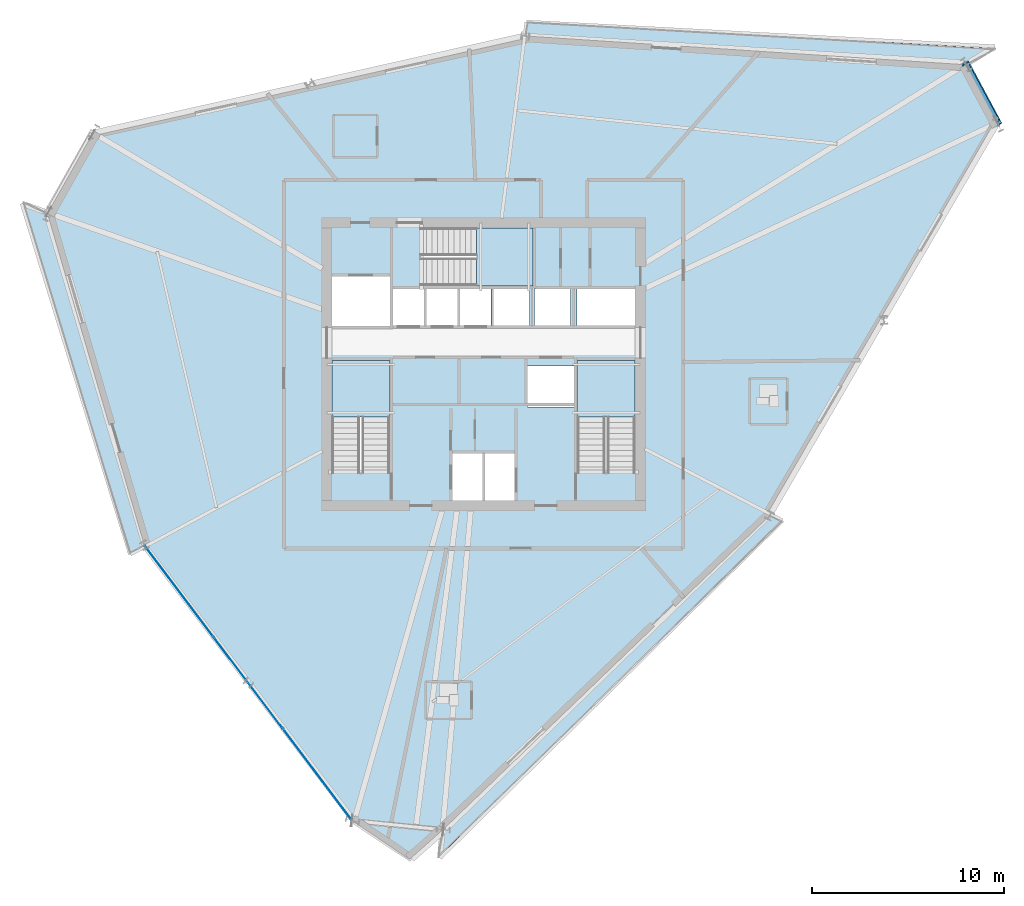
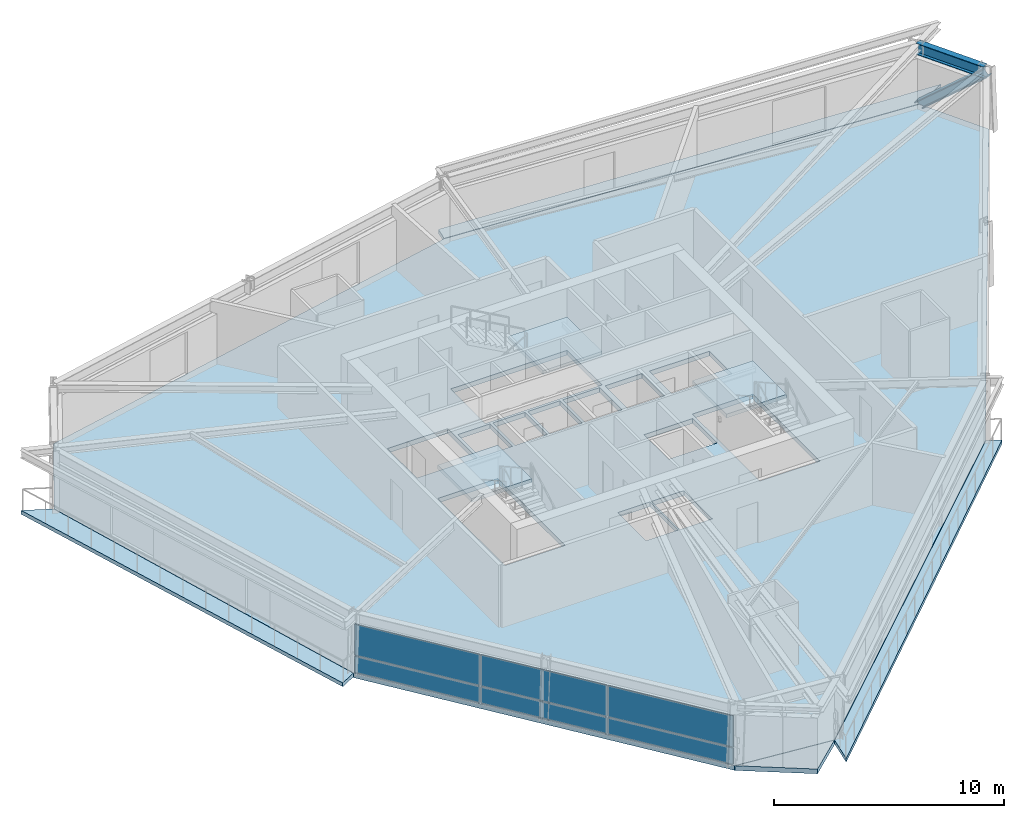
# One storey, part 5 of 15: 8 slabs, 6 plates, 1 beam, 1 member, 4 elements without a shape of their own.
"""IFC4 building model written with IfcOpenShell, lengths in metres."""

import ifcopenshell
import ifcopenshell.guid

model = None  # the IFC model being written
_history = None  # IfcOwnerHistory: only IFC2X3 demands one
_inside = {}  # id of a spatial element -> (the spatial element, [elements in it])
_under = {}  # id of a project, library or spatial element -> (it, [spatial elements below it])
_declared = {}  # id of a project -> (the project, [libraries it declares])
_typed = {}  # id of a type object -> (the type object, [elements of that type])
_made_of = {}  # id of a material, layer set ... -> (it, [elements and type objects made of it])


def new_model(schema):
    """Start an empty IFC model of exactly this schema.

    Asked for "IFC4X3", IfcOpenShell would pick the latest addendum, in which some entities
    have other attributes; the version numbers below select the first issue.
    IFC2X3 requires an IfcOwnerHistory on every rooted entity: one is made here for all.
    """
    global model, _history
    if schema == "IFC4X3":
        model = ifcopenshell.file(schema_version=(4, 3, 0, 0))
    else:
        model = ifcopenshell.file(schema=schema)
    _inside.clear()
    _under.clear()
    _declared.clear()
    _typed.clear()
    _made_of.clear()
    _history = None
    if model.schema == "IFC2X3":
        org = make("IfcOrganization", Name="unknown")
        user = make(
            "IfcPersonAndOrganization",
            ThePerson=make("IfcPerson", FamilyName="unknown"),
            TheOrganization=org,
        )
        app = make(
            "IfcApplication",
            ApplicationDeveloper=org,
            Version="unknown",
            ApplicationFullName="unknown",
            ApplicationIdentifier="unknown",
        )
        _history = make(
            "IfcOwnerHistory",
            OwningUser=user,
            OwningApplication=app,
            ChangeAction="ADDED",
            CreationDate=0,
        )
    return model


def make(cls, **values):
    """One entity of the class cls with the attributes given. An attribute that is None is left unset."""
    return model.create_entity(
        cls, **{name: value for name, value in values.items() if value is not None}
    )


def rooted(cls, **values):
    """An entity with a GlobalId (a new one), such as an element, a storey or a relation."""
    return make(cls, GlobalId=ifcopenshell.guid.new(), OwnerHistory=_history, **values)


def si_unit(unit_type, name, prefix=None):
    """IfcSIUnit, for example si_unit("LENGTHUNIT", "METRE", prefix="MILLI")."""
    return make("IfcSIUnit", UnitType=unit_type, Prefix=prefix, Name=name)


def assignment(units):
    """IfcUnitAssignment: the units of a project."""
    return None if units is None else make("IfcUnitAssignment", Units=units)


def point(xyz):
    """IfcCartesianPoint."""
    return None if xyz is None else make("IfcCartesianPoint", Coordinates=xyz)


def direction(xyz):
    """IfcDirection."""
    return None if xyz is None else make("IfcDirection", DirectionRatios=xyz)


def frame(location, z_axis=None, x_axis=None):
    """IfcAxis2Placement3D, a coordinate frame: its origin and axes. An axis left out is left unset."""
    return make(
        "IfcAxis2Placement3D",
        Location=point(location),
        Axis=direction(z_axis),
        RefDirection=direction(x_axis),
    )


def frame_2d(location, x_axis=None):
    """IfcAxis2Placement2D, a coordinate frame in the plane: its origin and x axis."""
    return make(
        "IfcAxis2Placement2D", Location=point(location), RefDirection=direction(x_axis)
    )


def origin():
    """The frame at (0, 0, 0) with its axes left unset."""
    return frame((0.0, 0.0, 0.0))


def origin_2d():
    """The frame at (0, 0) in the plane with its x axis left unset."""
    return frame_2d((0.0, 0.0))


def place(relative_to, where):
    """IfcLocalPlacement: puts the frame where relative to a parent placement (None: the world)."""
    return make(
        "IfcLocalPlacement", PlacementRelTo=relative_to, RelativePlacement=where
    )


def context(
    kind, dimensions, precision=None, world=None, true_north=None, identifier=None
):
    """IfcGeometricRepresentationContext, for example the 3D "Model" context."""
    return make(
        "IfcGeometricRepresentationContext",
        ContextIdentifier=identifier,
        ContextType=kind,
        CoordinateSpaceDimension=dimensions,
        Precision=precision,
        WorldCoordinateSystem=world,
        TrueNorth=true_north,
    )


def subcontext(parent, identifier, kind, view, scale=None):
    """IfcGeometricRepresentationSubContext, for example "Body" below "Model"."""
    return make(
        "IfcGeometricRepresentationSubContext",
        ContextIdentifier=identifier,
        ContextType=kind,
        ParentContext=parent,
        TargetScale=scale,
        TargetView=view,
    )


def project(units=None, contexts=None):
    """IfcProject with its units and contexts."""
    return rooted(
        "IfcProject",
        Name="project",
        RepresentationContexts=contexts,
        UnitsInContext=assignment(units),
    )


def spatial(cls, under=None, at=None, **own):
    """A site, building, storey or space (cls), placed at a placement, below another one or the project."""
    s = rooted(cls, ObjectPlacement=at, **own)
    if under is not None:
        _under.setdefault(under.id(), (under, []))[1].append(s)
    return s


def polyline(points):
    """IfcPolyline through the points."""
    return make("IfcPolyline", Points=[point(p) for p in points])


def profile(cls, at=None, kind="AREA", **sizes):
    """A parametric profile (cls). Its sizes go by their IFC names, for example OverallWidth=200.0."""
    return make(cls, ProfileType=kind, Position=at, **sizes)


def rectangle(**sizes):
    """IfcRectangleProfileDef."""
    return profile("IfcRectangleProfileDef", **sizes)


def i_section(**sizes):
    """IfcIShapeProfileDef."""
    return profile("IfcIShapeProfileDef", **sizes)


def outline(outer, holes=None, kind="AREA"):
    """IfcArbitraryClosedProfileDef: a profile drawn as a closed curve; with holes, ...WithVoids."""
    if holes is None:
        return make("IfcArbitraryClosedProfileDef", ProfileType=kind, OuterCurve=outer)
    return make(
        "IfcArbitraryProfileDefWithVoids",
        ProfileType=kind,
        OuterCurve=outer,
        InnerCurves=holes,
    )


def extrude(swept, where, along, depth):
    """IfcExtrudedAreaSolid: the profile swept, set in the frame where, extruded along a direction by depth."""
    return make(
        "IfcExtrudedAreaSolid",
        SweptArea=swept,
        Position=where,
        ExtrudedDirection=direction(along),
        Depth=depth,
    )


def shape(context_of_items, identifier, shape_type, items):
    """IfcShapeRepresentation: the items that make up one representation, for example the "Body"."""
    return make(
        "IfcShapeRepresentation",
        ContextOfItems=context_of_items,
        RepresentationIdentifier=identifier,
        RepresentationType=shape_type,
        Items=items,
    )


def source(mapping_origin, context_of_items, identifier, shape_type, items):
    """IfcRepresentationMap: a shape defined once, which mapped items show again and again."""
    return make(
        "IfcRepresentationMap",
        MappingOrigin=mapping_origin,
        MappedRepresentation=shape(context_of_items, identifier, shape_type, items),
    )


def transform(
    local_origin,
    x_axis=None,
    y_axis=None,
    z_axis=None,
    scale=None,
    scale2=None,
    scale3=None,
    uniform=True,
):
    """IfcCartesianTransformationOperator3D, or its non-uniform kind. x_axis, y_axis, z_axis: its Axis1, 2, 3."""
    if uniform:
        return make(
            "IfcCartesianTransformationOperator3D",
            Axis1=direction(x_axis),
            Axis2=direction(y_axis),
            LocalOrigin=point(local_origin),
            Scale=scale,
            Axis3=direction(z_axis),
        )
    return make(
        "IfcCartesianTransformationOperator3DnonUniform",
        Axis1=direction(x_axis),
        Axis2=direction(y_axis),
        LocalOrigin=point(local_origin),
        Scale=scale,
        Axis3=direction(z_axis),
        Scale2=scale2,
        Scale3=scale3,
    )


def mapped(mapping_source, mapping_target):
    """IfcMappedItem: shows the shape of a source again, moved by a transform."""
    return make(
        "IfcMappedItem", MappingSource=mapping_source, MappingTarget=mapping_target
    )


def material(Name=None, Category=None):
    """IfcMaterial."""
    return make("IfcMaterial", Name=Name, Category=Category)


def layer(
    of_material, thickness, ventilated=None, Name=None, Category=None, Priority=None
):
    """IfcMaterialLayer: one layer of a wall or slab, of a material (None: an air gap)."""
    return make(
        "IfcMaterialLayer",
        Material=of_material,
        LayerThickness=thickness,
        IsVentilated=ventilated,
        Name=Name,
        Category=Category,
        Priority=Priority,
    )


def layer_set(layers, Name=None):
    """IfcMaterialLayerSet."""
    return make("IfcMaterialLayerSet", MaterialLayers=layers, LayerSetName=Name)


def material_profile(
    of_material, cross_section, Name=None, Category=None, Priority=None
):
    """IfcMaterialProfile: a cross section and its material."""
    return make(
        "IfcMaterialProfile",
        Name=Name,
        Material=of_material,
        Profile=cross_section,
        Priority=Priority,
        Category=Category,
    )


def profile_set(profiles, Name=None, composite=None):
    """IfcMaterialProfileSet."""
    return make(
        "IfcMaterialProfileSet",
        Name=Name,
        MaterialProfiles=profiles,
        CompositeProfile=composite,
    )


def made_of(thing, what):
    """Note that an element or type object is made of a material, layer set ...; save() writes the relation."""
    if what is not None:
        _made_of.setdefault(what.id(), (what, []))[1].append(thing)
    return thing


def type_object(cls, material=None, **own):
    """A type object (cls), such as IfcWallType, which elements share."""
    return made_of(rooted(cls, **own), material)


def element(
    cls,
    number,
    at=None,
    inside=None,
    cuts=None,
    type_object=None,
    material=None,
    context=None,
    identifier="Body",
    shape_type=None,
    held_by="IfcProductDefinitionShape",
    body=None,
    shapes=None,
    **own,
):
    """One element of the class cls, such as IfcWall. Its Tag is "e" and its number.

    at: its placement. inside: the storey or other place that contains it. cuts: it is an
    opening in that element (IfcRelVoidsElement). A single representation is given by context,
    identifier, shape_type and body (its items); several are given by shapes. held_by: the class
    of the entity that holds the representations. save() writes the other relations.
    """
    e = rooted(cls, Tag="e%d" % number, ObjectPlacement=at, **own)
    if body is not None:
        shapes = [shape(context, identifier, shape_type, body)]
    if shapes is not None:
        e.Representation = make(held_by, Representations=shapes)
    if inside is not None:
        _inside.setdefault(inside.id(), (inside, []))[1].append(e)
    if cuts is not None:
        rooted(
            "IfcRelVoidsElement", RelatingBuildingElement=cuts, RelatedOpeningElement=e
        )
    if type_object is not None:
        _typed.setdefault(type_object.id(), (type_object, []))[1].append(e)
    return made_of(e, material)


def aggregate(whole, parts):
    """IfcRelAggregates: a whole, such as a stair, and the parts it consists of."""
    return rooted("IfcRelAggregates", RelatingObject=whole, RelatedObjects=parts)


def save(model, path):
    """Write the relations noted so far, then the file.

    IfcRelAggregates (storeys below a building ...), IfcRelContainedInSpatialStructure (elements
    in a storey), IfcRelDefinesByType, IfcRelAssociatesMaterial and IfcRelDeclares: one each for
    every whole, place, type object, material and project.
    """
    for whole, parts in _under.values():
        aggregate(whole, parts)
    for where, things in _inside.values():
        rooted(
            "IfcRelContainedInSpatialStructure",
            RelatedElements=things,
            RelatingStructure=where,
        )
    for kind, things in _typed.values():
        rooted("IfcRelDefinesByType", RelatedObjects=things, RelatingType=kind)
    for what, things in _made_of.values():
        rooted("IfcRelAssociatesMaterial", RelatedObjects=things, RelatingMaterial=what)
    for by, libraries in _declared.values():
        rooted("IfcRelDeclares", RelatingContext=by, RelatedDefinitions=libraries)
    model.write(path)


model = new_model("IFC4")

# Units and contexts
model_context = context("Model", 3, precision=1e-05, world=origin(), true_north=direction((0.0, 1.0)))
body_context = subcontext(model_context, "Body", "Model", "MODEL_VIEW")
ifc_project = project(units=[si_unit("LENGTHUNIT", "METRE"), si_unit("AREAUNIT", "SQUARE_METRE"), si_unit("VOLUMEUNIT", "CUBIC_METRE"), si_unit("PLANEANGLEUNIT", "RADIAN"), si_unit("MASSUNIT", "GRAM", prefix="KILO")], contexts=[model_context])

# Site, building, storey
site_placement = place(None, origin())
site = spatial("IfcSite", under=ifc_project, at=site_placement, CompositionType="ELEMENT")
building_placement = place(site_placement, origin())
building = spatial("IfcBuilding", under=site, at=building_placement, Name="Olszyna Solenne Hotel", CompositionType="ELEMENT")
storey_placement = place(building_placement, frame((0.0, 0.0, 150.14990234375)))
storey = spatial("IfcBuildingStorey", under=building, at=storey_placement, Name="L39", CompositionType="ELEMENT", Elevation=150.14990234375)

# Beam
ifc_material_1 = material(Name="Steel S355J2", Category="steel")
ifc_material_profile_1 = material_profile(ifc_material_1, i_section(OverallWidth=0.300048828125, OverallDepth=0.60009765625, WebThickness=0.015380859375, FlangeThickness=0.030029296875, at=origin_2d()), Name="HEB 600", Category="load-bearing")
ifc_profile_set_1 = profile_set([ifc_material_profile_1], Name="Steel S355J2")
beam_type = type_object("IfcBeamType", Name="BM-S2", PredefinedType="BEAM", material=ifc_profile_set_1)
shared_shape_1 = source(origin(), body_context, "Body", "SweptSolid", [
    extrude(i_section(OverallWidth=0.300048828125, OverallDepth=0.60009765625, WebThickness=0.015380859375, FlangeThickness=0.030029296875, at=origin_2d()), origin(), (0.0, 0.0, 1.0), 3.439208984375),
])
beam_placement = place(storey_placement, frame((64.740234375, 39.2255859375, 3.0), z_axis=(-0.474125222019, 0.880457423073, 0.0), x_axis=(-0.880457423073, -0.474125222019, 0.0)))
element("IfcBeam", 1, at=beam_placement, inside=storey, type_object=beam_type, Name="Perimeter spandrel beam BM-S2 B-L39-1156", PredefinedType="BEAM", context=body_context, shape_type="MappedRepresentation", body=[
    mapped(shared_shape_1, transform((0.0, 0.0, 0.0), x_axis=(1.0, 0.0, 0.0), y_axis=(0.0, 1.0, 0.0), z_axis=(0.0, 0.0, 1.0), scale=1.0)),
])

# Member
ifc_material_2 = material(Name="Steel S460M", Category="steel")
ifc_material_profile_2 = material_profile(ifc_material_2, i_section(OverallWidth=0.406005859375, OverallDepth=0.416015625, WebThickness=0.026611328125, FlangeThickness=0.04150390625, at=origin_2d()), Name="HD 400x382", Category="load-bearing")
ifc_profile_set_2 = profile_set([ifc_material_profile_2], Name="Steel S460M")
member_type = type_object("IfcMemberType", Name="BR-T2", PredefinedType="BRACE", material=ifc_profile_set_2)
shared_shape_2 = source(origin(), body_context, "Body", "SweptSolid", [
    extrude(i_section(OverallWidth=0.406005859375, OverallDepth=0.416015625, WebThickness=0.026611328125, FlangeThickness=0.04150390625, at=origin_2d()), origin(), (0.0, 0.0, 1.0), 4.53076171875),
])
member_placement = place(storey_placement, frame((63.1494140625, 42.19677734375, 0.010009765625), z_axis=(0.357359516445, -0.667408771213, 0.653345014609), x_axis=(0.881579412733, 0.472035739161, 0.0)))
element("IfcMember", 2, at=member_placement, inside=storey, type_object=member_type, Name="Perimeter braced-tube diagonal BR-T2 BR-L39-1", PredefinedType="BRACE", context=body_context, shape_type="MappedRepresentation", body=[
    mapped(shared_shape_2, transform((0.0, 0.0, 0.0), x_axis=(1.0, 0.0, 0.0), y_axis=(0.0, 1.0, 0.0), z_axis=(0.0, 0.0, 1.0), scale=1.0)),
])

# Stair, slab
ifc_material_3 = material(Name="Concrete C40/50", Category="concrete")
stair_type = type_object("IfcStairType", Name="STR-C1", PredefinedType="TWO_QUARTER_WINDING_STAIR", material=ifc_material_3)
stair_1_placement = place(storey_placement, origin())
stair_1 = element("IfcStair", 3, at=stair_1_placement, inside=storey, type_object=stair_type, Name="L39 ST1", PredefinedType="TWO_QUARTER_WINDING_STAIR")
ifc_layer_1 = layer(ifc_material_3, 0.18994140625, Name="Concrete C40/50")
ifc_layer_set_1 = layer_set([ifc_layer_1], Name="Concrete C40/50")
slab_type_1 = type_object("IfcSlabType", Name="SL-LN190", PredefinedType="LANDING", material=ifc_layer_set_1)
slab_1_placement = place(storey_placement, frame((0.0, 0.0, 1.5751953125)))
slab_1 = element("IfcSlab", 4, at=slab_1_placement, type_object=slab_type_1, Name="ST1 landing 1", PredefinedType="LANDING", context=body_context, shape_type="SweptSolid", body=[
    extrude(outline(polyline([(33.1201171875, 23.85009765625), (33.1201171875, 26.800048828125), (30.10009765625, 26.800048828125), (30.10009765625, 23.85009765625), (33.1201171875, 23.85009765625)])), origin(), (0.0, 0.0, 1.0), 0.199951171875),
])
aggregate(stair_1, [slab_1])

stair_2_placement = place(storey_placement, origin())
stair_2 = element("IfcStair", 5, at=stair_2_placement, inside=storey, type_object=stair_type, Name="L39 ST2", PredefinedType="TWO_QUARTER_WINDING_STAIR")
slab_2_placement = place(storey_placement, frame((0.0, 0.0, 1.5751953125)))
slab_2 = element("IfcSlab", 6, at=slab_2_placement, type_object=slab_type_1, Name="ST2 landing 1", PredefinedType="LANDING", context=body_context, shape_type="SweptSolid", body=[
    extrude(outline(polyline([(45.89990234375, 23.85009765625), (45.89990234375, 26.800048828125), (42.8798828125, 26.800048828125), (42.8798828125, 23.85009765625), (45.89990234375, 23.85009765625)])), origin(), (0.0, 0.0, 1.0), 0.199951171875),
])
aggregate(stair_2, [slab_2])

stair_3_placement = place(storey_placement, origin())
stair_3 = element("IfcStair", 7, at=stair_3_placement, inside=storey, type_object=stair_type, Name="L39 ST3", PredefinedType="TWO_QUARTER_WINDING_STAIR")
slab_3_placement = place(storey_placement, frame((0.0, 0.0, 1.5751953125)))
slab_3 = element("IfcSlab", 8, at=slab_3_placement, type_object=slab_type_1, Name="ST3 landing 1", PredefinedType="LANDING", context=body_context, shape_type="SweptSolid", body=[
    extrude(outline(polyline([(37.6298828125, 30.679931640625), (40.580078125, 30.679931640625), (40.580078125, 33.699951171875), (37.6298828125, 33.699951171875), (37.6298828125, 30.679931640625)])), origin(), (0.0, 0.0, 1.0), 0.199951171875),
])
aggregate(stair_3, [slab_3])

# Slabs
ifc_material_4 = material(Name="Precast concrete C45/55", Category="concrete")
ifc_layer_2 = layer(ifc_material_4, 0.199951171875, Name="Precast concrete C45/55")
ifc_layer_set_2 = layer_set([ifc_layer_2], Name="Precast concrete C45/55")
slab_type_2 = type_object("IfcSlabType", Name="SL-LOG200", PredefinedType="FLOOR", material=ifc_layer_set_2)
slab_4_placement = place(storey_placement, frame((0.0, 0.0, -0.199951171875)))
element("IfcSlab", 9, at=slab_4_placement, inside=storey, type_object=slab_type_2, Name="Exterior loggia balcony slab SL-L39-LG1", PredefinedType="FLOOR", context=body_context, shape_type="SweptSolid", body=[
    extrude(outline(polyline([(40.187255859375, 43.709228515625), (63.150390625, 42.2119140625), (63.152099609375, 42.211669921875), (63.153564453125, 42.211181640625), (63.15478515625, 42.210693359375), (63.15625, 42.210205078125), (63.15771484375, 42.20947265625), (63.158935546875, 42.20849609375), (63.159912109375, 42.20751953125), (63.160888671875, 42.206298828125), (63.162109375, 42.205078125), (63.16259765625, 42.203857421875), (64.71728515625, 43.041748046875), (40.313720703125, 44.4296875), (40.187255859375, 43.709228515625)])), origin(), (0.0, 0.0, 1.0), 0.199951171875),
])
slab_5_placement = place(storey_placement, frame((0.0, 0.0, -0.199951171875)))
element("IfcSlab", 10, at=slab_5_placement, inside=storey, type_object=slab_type_2, Name="Exterior loggia balcony slab SL-L39-LG2", PredefinedType="FLOOR", context=body_context, shape_type="SweptSolid", body=[
    extrude(outline(polyline([(20.31201171875, 17.1748046875), (20.311767578125, 17.175048828125), (20.311279296875, 17.17626953125), (20.310791015625, 17.177490234375), (15.268310546875, 34.440185546875), (15.267822265625, 34.441650390625), (15.267578125, 34.443115234375), (15.267578125, 34.444580078125), (15.267578125, 34.446044921875), (15.267822265625, 34.447509765625), (15.268310546875, 34.448974609375), (15.268798828125, 34.450439453125), (15.26904296875, 34.450927734375), (13.97265625, 35.0703125), (19.541259765625, 16.75927734375), (20.31201171875, 17.1748046875)])), origin(), (0.0, 0.0, 1.0), 0.199951171875),
])
slab_6_placement = place(storey_placement, frame((0.0, 0.0, -0.199951171875)))
element("IfcSlab", 11, at=slab_6_placement, inside=storey, type_object=slab_type_2, Name="Exterior loggia balcony slab SL-L39-LG3", PredefinedType="FLOOR", context=body_context, shape_type="SweptSolid", body=[
    extrude(outline(polyline([(52.906982421875, 18.68896484375), (52.90625, 18.68798828125), (52.905517578125, 18.686767578125), (52.90478515625, 18.685791015625), (52.90380859375, 18.684814453125), (35.890625, 2.331787109375), (35.89013671875, 2.331298828125), (35.8759765625, 2.31884765625), (35.622314453125, 0.871826171875), (53.54833984375, 18.382568359375), (52.906982421875, 18.68896484375)])), origin(), (0.0, 0.0, 1.0), 0.199951171875),
])
ifc_material_5 = material(Name="Concrete C50/60", Category="concrete")
ifc_layer_3 = layer(ifc_material_5, 0.25, Name="Concrete C50/60")
ifc_layer_set_3 = layer_set([ifc_layer_3], Name="Concrete C50/60")
slab_type_3 = type_object("IfcSlabType", Name="SL-TW250", PredefinedType="FLOOR", material=ifc_layer_set_3)
slab_7_placement = place(storey_placement, frame((0.0, 0.0, -0.25)))
element("IfcSlab", 12, at=slab_7_placement, inside=storey, type_object=slab_type_3, Name="Floor slab SL-TW250 SL-L39-01", PredefinedType="FLOOR", context=body_context, shape_type="SweptSolid", body=[
    extrude(outline(polyline([(64.8232421875, 39.055908203125), (63.1494140625, 42.19677734375), (40.184814453125, 43.6943359375), (17.711181640625, 38.737548828125), (15.28271484375, 34.4443359375), (20.3251953125, 17.181884765625), (31.153076171875, 2.822509765625), (35.880126953125, 2.342529296875), (52.893310546875, 18.695556640625), (64.8232421875, 39.055908203125)]), holes=[polyline([(30.10009765625, 20.949951171875), (33.1201171875, 20.949951171875), (33.1201171875, 26.800048828125), (30.10009765625, 26.800048828125), (30.10009765625, 20.949951171875)]), polyline([(42.8798828125, 20.949951171875), (45.89990234375, 20.949951171875), (45.89990234375, 26.800048828125), (42.8798828125, 26.800048828125), (42.8798828125, 20.949951171875)]), polyline([(34.72998046875, 30.679931640625), (40.580078125, 30.679931640625), (40.580078125, 33.699951171875), (34.72998046875, 33.699951171875), (34.72998046875, 30.679931640625)]), polyline([(36.340087890625, 19.5), (37.9599609375, 19.5), (37.9599609375, 21.9599609375), (36.340087890625, 21.9599609375), (36.340087890625, 19.5)]), polyline([(38.0400390625, 19.5), (39.659912109375, 19.5), (39.659912109375, 21.9599609375), (38.0400390625, 21.9599609375), (38.0400390625, 19.5)]), polyline([(30.10009765625, 28.60009765625), (33.1201171875, 28.60009765625), (33.1201171875, 31.159912109375), (30.10009765625, 31.159912109375), (30.10009765625, 28.60009765625)]), polyline([(40.280029296875, 24.360107421875), (42.719970703125, 24.360107421875), (42.719970703125, 26.5), (40.280029296875, 26.5), (40.280029296875, 24.360107421875)]), polyline([(33.280029296875, 28.60009765625), (34.89990234375, 28.60009765625), (34.89990234375, 30.550048828125), (33.280029296875, 30.550048828125), (33.280029296875, 28.60009765625)]), polyline([(35.030029296875, 28.60009765625), (36.64990234375, 28.60009765625), (36.64990234375, 30.550048828125), (35.030029296875, 30.550048828125), (35.030029296875, 28.60009765625)]), polyline([(36.780029296875, 28.60009765625), (38.39990234375, 28.60009765625), (38.39990234375, 30.550048828125), (36.780029296875, 30.550048828125), (36.780029296875, 28.60009765625)]), polyline([(38.530029296875, 28.60009765625), (40.389892578125, 28.60009765625), (40.389892578125, 30.550048828125), (38.530029296875, 30.550048828125), (38.530029296875, 28.60009765625)]), polyline([(40.659912109375, 28.60009765625), (42.52001953125, 28.60009765625), (42.52001953125, 30.550048828125), (40.659912109375, 30.550048828125), (40.659912109375, 28.60009765625)]), polyline([(42.8798828125, 28.60009765625), (45.89990234375, 28.60009765625), (45.89990234375, 30.550048828125), (42.8798828125, 30.550048828125), (42.8798828125, 28.60009765625)])]), origin(), (0.0, 0.0, 1.0), 0.25),
])
slab_8_placement = place(storey_placement, frame((0.0, 0.0, -0.25)))
element("IfcSlab", 13, at=slab_8_placement, inside=storey, type_object=slab_type_3, Name="Faceted glass-prism floor slab SL-L39-PR", PredefinedType="FLOOR", context=body_context, shape_type="SweptSolid", body=[
    extrude(outline(polyline([(35.8701171875, 2.33349609375), (31.170654296875, 2.810791015625), (34.140869140625, 0.800048828125), (35.8701171875, 2.33349609375)])), origin(), (0.0, 0.0, 1.0), 0.25),
])

# Curtain wall, plates
ifc_material_6 = material(Name="Anodised bronze aluminium", Category="aluminium")
curtain_wall_type = type_object("IfcCurtainWallType", Name="CW-SYS-4", PredefinedType="NOTDEFINED", material=ifc_material_6)
curtain_wall_placement = place(storey_placement, origin())
curtain_wall = element("IfcCurtainWall", 14, at=curtain_wall_placement, inside=storey, type_object=curtain_wall_type, Name="Unitised curtain wall CW-SYS-4 CW-L39-01", PredefinedType="NOTDEFINED")
ifc_material_7 = material(Name="Terracotta cladding", Category="masonry")
plate_type_1 = type_object("IfcPlateType", Name="PN-SP1", PredefinedType="CURTAIN_PANEL", material=ifc_material_7)
shared_shape_3 = source(origin(), body_context, "Body", "SweptSolid", [
    extrude(rectangle(XDim=5.897216796875, YDim=0.035888671875, at=origin_2d()), origin(), (0.0, 0.0, 1.0), 0.8525390625),
])
plate_1_placement = place(storey_placement, frame((22.1396484375, 14.775634765625, 0.065185546875), z_axis=(0.0, 0.0, 1.0), x_axis=(0.602079800336, -0.798435917295, 0.0)))
plate_1 = element("IfcPlate", 15, at=plate_1_placement, type_object=plate_type_1, Name="Curtain-wall panel PN-SP1 CP-L39-01-01", PredefinedType="CURTAIN_PANEL", context=body_context, shape_type="MappedRepresentation", body=[
    mapped(shared_shape_3, transform((0.0, 0.0, 0.0), x_axis=(1.0, 0.0, 0.0), y_axis=(0.0, 1.0, 0.0), z_axis=(0.0, 0.0, 1.0), scale=1.0)),
])
plate_2_placement = place(storey_placement, frame((29.338623046875, 5.228759765625, 0.065185546875), z_axis=(0.0, 0.0, 1.0), x_axis=(0.602079800336, -0.798435917295, 0.0)))
plate_2 = element("IfcPlate", 16, at=plate_2_placement, type_object=plate_type_1, Name="Curtain-wall panel PN-SP1 CP-L39-01-05", PredefinedType="CURTAIN_PANEL", context=body_context, shape_type="MappedRepresentation", body=[
    mapped(shared_shape_3, transform((0.0, 0.0, 0.0), x_axis=(1.0, 0.0, 0.0), y_axis=(0.0, 1.0, 0.0), z_axis=(0.0, 0.0, 1.0), scale=1.0)),
])
ifc_material_8 = material(Name="Low-E triple glazing", Category="glass")
plate_type_2 = type_object("IfcPlateType", Name="PN-GL1", PredefinedType="CURTAIN_PANEL", material=ifc_material_8)
shared_shape_4 = source(origin(), body_context, "Body", "SweptSolid", [
    extrude(rectangle(XDim=5.897216796875, YDim=0.035888671875, at=origin_2d()), origin(), (0.0, 0.0, 1.0), 1.64453125),
])
plate_3_placement = place(storey_placement, frame((22.1396484375, 14.775634765625, 0.982666015625), z_axis=(0.0, 0.0, 1.0), x_axis=(0.602079800336, -0.798435917295, 0.0)))
plate_3 = element("IfcPlate", 17, at=plate_3_placement, type_object=plate_type_2, Name="Curtain-wall panel PN-GL1 CP-L39-01-02", PredefinedType="CURTAIN_PANEL", context=body_context, shape_type="MappedRepresentation", body=[
    mapped(shared_shape_4, transform((0.0, 0.0, 0.0), x_axis=(1.0, 0.0, 0.0), y_axis=(0.0, 1.0, 0.0), z_axis=(0.0, 0.0, 1.0), scale=1.0)),
])
plate_4_placement = place(storey_placement, frame((29.338623046875, 5.228759765625, 0.982666015625), z_axis=(0.0, 0.0, 1.0), x_axis=(0.602079800336, -0.798435917295, 0.0)))
plate_4 = element("IfcPlate", 18, at=plate_4_placement, type_object=plate_type_2, Name="Curtain-wall panel PN-GL1 CP-L39-01-06", PredefinedType="CURTAIN_PANEL", context=body_context, shape_type="MappedRepresentation", body=[
    mapped(shared_shape_4, transform((0.0, 0.0, 0.0), x_axis=(1.0, 0.0, 0.0), y_axis=(0.0, 1.0, 0.0), z_axis=(0.0, 0.0, 1.0), scale=1.0)),
])
shared_shape_5 = source(origin(), body_context, "Body", "SweptSolid", [
    extrude(rectangle(XDim=5.9296875, YDim=0.035888671875, at=origin_2d()), origin(), (0.0, 0.0, 1.0), 0.8525390625),
])
plate_5_placement = place(storey_placement, frame((25.7392578125, 10.002197265625, 0.065185546875), z_axis=(0.0, 0.0, 1.0), x_axis=(0.602079800336, -0.798435917295, 0.0)))
plate_5 = element("IfcPlate", 19, at=plate_5_placement, type_object=plate_type_1, Name="Curtain-wall panel PN-SP1 CP-L39-01-03", PredefinedType="CURTAIN_PANEL", context=body_context, shape_type="MappedRepresentation", body=[
    mapped(shared_shape_5, transform((0.0, 0.0, 0.0), x_axis=(1.0, 0.0, 0.0), y_axis=(0.0, 1.0, 0.0), z_axis=(0.0, 0.0, 1.0), scale=1.0)),
])
shared_shape_6 = source(origin(), body_context, "Body", "SweptSolid", [
    extrude(rectangle(XDim=5.9296875, YDim=0.035888671875, at=origin_2d()), origin(), (0.0, 0.0, 1.0), 1.64453125),
])
plate_6_placement = place(storey_placement, frame((25.7392578125, 10.002197265625, 0.982666015625), z_axis=(0.0, 0.0, 1.0), x_axis=(0.602079800336, -0.798435917295, 0.0)))
plate_6 = element("IfcPlate", 20, at=plate_6_placement, type_object=plate_type_2, Name="Curtain-wall panel PN-GL1 CP-L39-01-04", PredefinedType="CURTAIN_PANEL", context=body_context, shape_type="MappedRepresentation", body=[
    mapped(shared_shape_6, transform((0.0, 0.0, 0.0), x_axis=(1.0, 0.0, 0.0), y_axis=(0.0, 1.0, 0.0), z_axis=(0.0, 0.0, 1.0), scale=1.0)),
])
aggregate(curtain_wall, [plate_1, plate_3, plate_5, plate_6, plate_2, plate_4])

save(model, "model.ifc")
